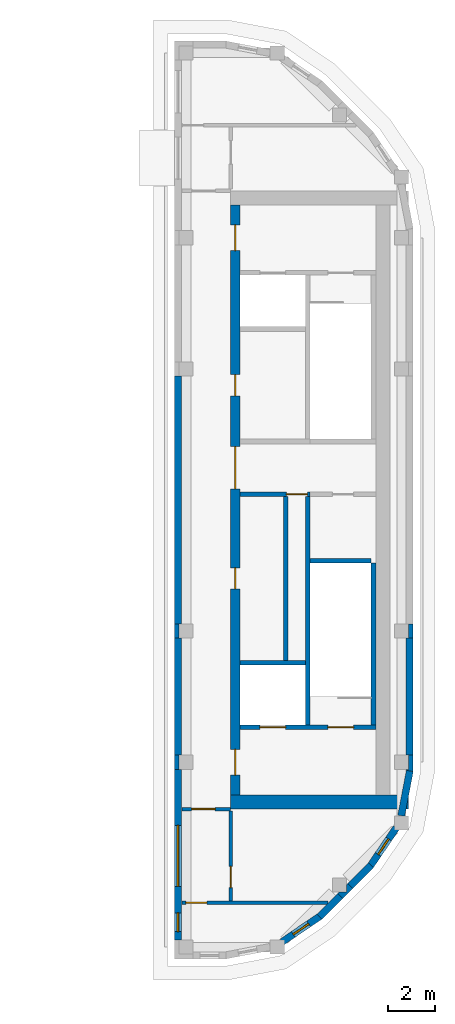
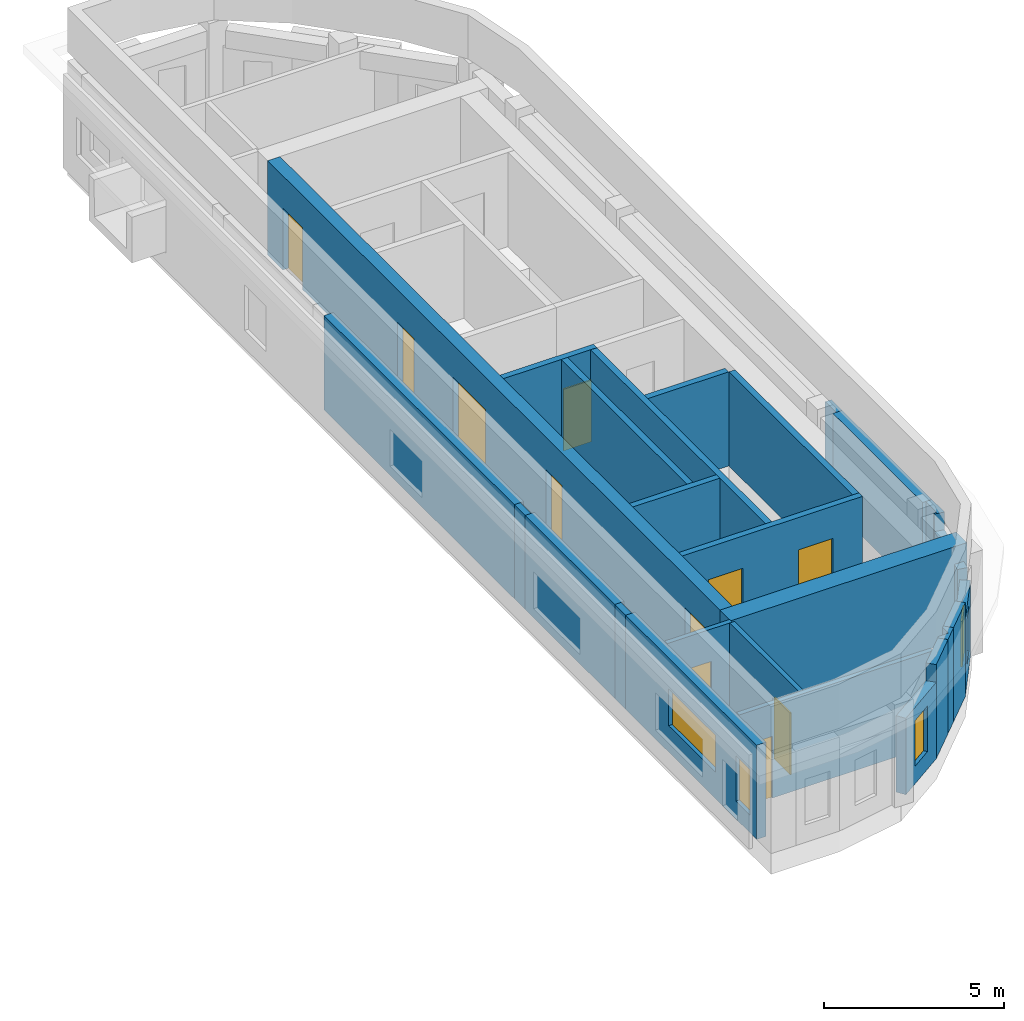
# One storey, part 10 of 16: 26 walls, 11 doors, 4 windows, 15 openings.
"""IFC4 building model written with IfcOpenShell, lengths in metres."""

from ifc_helpers import new_model, si_unit, direction, frame, frame_2d, origin, place, context, subcontext, project, spatial, polyline, rectangle, outline, extrude, material, layer, layer_set, type_object, element, fill, save


model = new_model("IFC4")

# Units and contexts
model_context = context("Model", 3, precision=1e-05, world=origin(), true_north=direction((0.0, 1.0)))
body_context = subcontext(model_context, "Body", "Model", "MODEL_VIEW")
ifc_project = project(units=[si_unit("LENGTHUNIT", "METRE"), si_unit("AREAUNIT", "SQUARE_METRE"), si_unit("VOLUMEUNIT", "CUBIC_METRE"), si_unit("PLANEANGLEUNIT", "RADIAN"), si_unit("MASSUNIT", "GRAM", prefix="KILO")], contexts=[model_context])

# Site, building, storey
site_placement = place(None, origin())
site = spatial("IfcSite", under=ifc_project, at=site_placement, CompositionType="ELEMENT")
building_placement = place(site_placement, origin())
building = spatial("IfcBuilding", under=site, at=building_placement, Name="Kiln Ring Residences", CompositionType="ELEMENT")
storey_placement = place(building_placement, frame((0.0, 0.0, 313.89990234375)))
storey = spatial("IfcBuildingStorey", under=building, at=storey_placement, Name="L81 Crown", CompositionType="ELEMENT", Elevation=313.89990234375)

# Walls
ifc_material_1 = material(Name="Gypsum board on steel studs", Category="steel")
ifc_layer_1 = layer(ifc_material_1, 0.199951171875)
ifc_layer_set_1 = layer_set([ifc_layer_1], Name="CORE-PARTITION-200")
wall_type_1 = type_object("IfcWallType", Name="CORE-PARTITION-200", PredefinedType="PARTITIONING", material=ifc_layer_set_1)
wall_1_placement = place(storey_placement, frame((19.760009765625, -6.85009765625, 0.0), z_axis=(0.0, 0.0, 1.0), x_axis=(0.0, 1.0, 0.0)))
element("IfcWall", 1, at=wall_1_placement, inside=storey, type_object=wall_type_1, Name="Core partition east L81 Crown 2", PredefinedType="PARTITIONING", context=body_context, shape_type="SweptSolid", body=[
    extrude(rectangle(XDim=7.0, YDim=0.199951171875, at=frame_2d((3.5, 0.0))), origin(), (0.0, 0.0, 1.0), 3.2001953125),
])
ifc_material_2 = material(Name="Gypsum shaft wall system")
ifc_layer_2 = layer(ifc_material_2, 0.199951171875)
ifc_layer_set_2 = layer_set([ifc_layer_2], Name="CORE-SHAFT-WALL-200")
wall_type_2 = type_object("IfcWallType", Name="CORE-SHAFT-WALL-200", PredefinedType="PARTITIONING", material=ifc_layer_set_2)
wall_2_placement = place(storey_placement, frame((17.800048828125, -6.949951171875, 0.0), z_axis=(0.0, 0.0, 1.0), x_axis=(1.0, 0.0, 0.0)))
element("IfcWall", 2, at=wall_2_placement, inside=storey, type_object=wall_type_2, Name="Core partition east L81 Crown 3", PredefinedType="PARTITIONING", context=body_context, shape_type="SweptSolid", body=[
    extrude(rectangle(XDim=2.800048828125, YDim=0.199951171875, at=frame_2d((1.39990234375, 0.0))), origin(), (0.0, 0.0, 1.0), 3.2001953125),
])

# Wall, opening, door
wall_3_placement = place(storey_placement, frame((17.800048828125, 0.25, 0.0), z_axis=(0.0, 0.0, 1.0), x_axis=(1.0, 0.0, 0.0)))
wall_3 = element("IfcWall", 3, at=wall_3_placement, inside=storey, type_object=wall_type_2, Name="Core partition east L81 Crown 4", PredefinedType="PARTITIONING", context=body_context, shape_type="SweptSolid", body=[
    extrude(rectangle(XDim=3.0, YDim=0.199951171875, at=frame_2d((1.5, 0.0))), origin(), (0.0, 0.0, 1.0), 3.2001953125),
])
opening_1_placement = place(wall_3_placement, frame((1.97998046875, 0.0, 0.0)))
opening_1 = element("IfcOpeningElement", 4, at=opening_1_placement, cuts=wall_3, Name="Opening L81-CE03", PredefinedType="OPENING", context=body_context, shape_type="SweptSolid", body=[
    extrude(rectangle(XDim=0.89990234375, YDim=2.10009765625, at=frame_2d((0.449951171875, 1.050048828125))), frame((0.0, 0.10986328125, 0.0), z_axis=(0.0, -1.0, 0.0), x_axis=(1.0, 0.0, 0.0)), (0.0, 0.0, 1.0), 0.219970703125),
])
ifc_material_3 = material(Name="Steel door leaf", Category="steel")
door_type_1 = type_object("IfcDoorType", Name="CORE-DOOR-ROOM", OperationType="SINGLE_SWING_LEFT", PredefinedType="DOOR", material=ifc_material_3)
door_1_placement = place(opening_1_placement, origin())
door_1 = element("IfcDoor", 5, at=door_1_placement, inside=storey, type_object=door_type_1, Name="Waste room L81-CE03", OperationType="SINGLE_SWING_RIGHT", OverallHeight=2.10009765625, OverallWidth=0.89990234375, PredefinedType="DOOR", context=body_context, shape_type="SweptSolid", body=[
    extrude(rectangle(XDim=0.89990234375, YDim=2.10009765625, at=frame_2d((0.449951171875, 1.050048828125))), frame((0.0, 0.02490234375, 0.0), z_axis=(0.0, -1.0, 0.0), x_axis=(1.0, 0.0, 0.0)), (0.0, 0.0, 1.0), 0.050048828125),
])
fill(opening_1, door_1)

# Wall
ifc_material_4 = material(Name="Concrete C40/50", Category="concrete")
ifc_layer_3 = layer(ifc_material_4, 0.199951171875)
ifc_layer_set_3 = layer_set([ifc_layer_3], Name="CORE-WALL-RC200")
wall_type_3 = type_object("IfcWallType", Name="CORE-WALL-RC200", PredefinedType="SHEAR", material=ifc_layer_set_3)
wall_4_placement = place(storey_placement, frame((20.699951171875, -9.60009765625, 0.0), z_axis=(0.0, 0.0, 1.0), x_axis=(0.0, 1.0, 0.0)))
element("IfcWall", 6, at=wall_4_placement, inside=storey, type_object=wall_type_3, Name="Core wall east L81 Crown 2", PredefinedType="SHEAR", context=body_context, shape_type="SweptSolid", body=[
    extrude(rectangle(XDim=9.75, YDim=0.199951171875, at=frame_2d((4.875, 0.0))), origin(), (0.0, 0.0, 1.0), 3.2001953125),
])

# Wall, openings, doors
wall_5_placement = place(storey_placement, frame((17.800048828125, -9.699951171875, 0.0), z_axis=(0.0, 0.0, 1.0), x_axis=(1.0, 0.0, 0.0)))
wall_5 = element("IfcWall", 7, at=wall_5_placement, inside=storey, type_object=wall_type_3, Name="Core wall east L81 Crown 8", PredefinedType="SHEAR", context=body_context, shape_type="SweptSolid", body=[
    extrude(rectangle(XDim=5.800048828125, YDim=0.199951171875, at=frame_2d((2.89990234375, 0.0))), origin(), (0.0, 0.0, 1.0), 3.2001953125),
])
opening_2_placement = place(wall_5_placement, frame((0.85009765625, 0.0, 0.0)))
opening_2 = element("IfcOpeningElement", 8, at=opening_2_placement, cuts=wall_5, Name="Opening L81-CE01", PredefinedType="OPENING", context=body_context, shape_type="SweptSolid", body=[
    extrude(rectangle(XDim=1.10009765625, YDim=2.10009765625, at=frame_2d((0.550048828125, 1.050048828125))), frame((0.0, 0.10986328125, 0.0), z_axis=(0.0, -1.0, 0.0), x_axis=(1.0, 0.0, 0.0)), (0.0, 0.0, 1.0), 0.219970703125),
])
opening_3_placement = place(wall_5_placement, frame((3.75, 0.0, 0.0)))
opening_3 = element("IfcOpeningElement", 9, at=opening_3_placement, cuts=wall_5, Name="Opening L81-CE09", PredefinedType="OPENING", context=body_context, shape_type="SweptSolid", body=[
    extrude(rectangle(XDim=1.10009765625, YDim=2.10009765625, at=frame_2d((0.550048828125, 1.050048828125))), frame((0.0, 0.10986328125, 0.0), z_axis=(0.0, -1.0, 0.0), x_axis=(1.0, 0.0, 0.0)), (0.0, 0.0, 1.0), 0.219970703125),
])
ifc_material_5 = material(Name="Steel door leaf", Category="steel")
door_type_2 = type_object("IfcDoorType", Name="CORE-DOOR-LD", OperationType="DOUBLE_DOOR_SLIDING", PredefinedType="DOOR", material=ifc_material_5)
door_2_placement = place(opening_2_placement, origin())
door_2 = element("IfcDoor", 10, at=door_2_placement, inside=storey, type_object=door_type_2, Name="LD E-SV L81-CE01", OperationType="DOUBLE_DOOR_SLIDING", OverallHeight=2.10009765625, OverallWidth=1.10009765625, PredefinedType="DOOR", context=body_context, shape_type="SweptSolid", body=[
    extrude(rectangle(XDim=1.10009765625, YDim=2.10009765625, at=frame_2d((0.550048828125, 1.050048828125))), frame((0.0, 0.02490234375, 0.0), z_axis=(0.0, -1.0, 0.0), x_axis=(1.0, 0.0, 0.0)), (0.0, 0.0, 1.0), 0.050048828125),
])
fill(opening_2, door_2)
ifc_material_6 = material(Name="Steel door leaf", Category="steel")
door_type_3 = type_object("IfcDoorType", Name="CORE-DOOR-STAIR", OperationType="SINGLE_SWING_LEFT", PredefinedType="DOOR", material=ifc_material_6)
door_3_placement = place(opening_3_placement, origin())
door_3 = element("IfcDoor", 11, at=door_3_placement, inside=storey, type_object=door_type_3, Name="Stair E-STS L81-CE09", OperationType="SINGLE_SWING_LEFT", OverallHeight=2.10009765625, OverallWidth=1.10009765625, PredefinedType="DOOR", context=body_context, shape_type="SweptSolid", body=[
    extrude(rectangle(XDim=1.10009765625, YDim=2.10009765625, at=frame_2d((0.550048828125, 1.050048828125))), frame((0.0, 0.02490234375, 0.0), z_axis=(0.0, -1.0, 0.0), x_axis=(1.0, 0.0, 0.0)), (0.0, 0.0, 1.0), 0.050048828125),
])
fill(opening_3, door_3)

# Walls
wall_6_placement = place(storey_placement, frame((23.5, -9.60009765625, 0.0), z_axis=(0.0, 0.0, 1.0), x_axis=(0.0, 1.0, 0.0)))
element("IfcWall", 12, at=wall_6_placement, inside=storey, type_object=wall_type_3, Name="Core wall east L81 Crown 11", PredefinedType="SHEAR", context=body_context, shape_type="SweptSolid", body=[
    extrude(rectangle(XDim=6.900146484375, YDim=0.199951171875, at=frame_2d((3.4501953125, 0.0))), origin(), (0.0, 0.0, 1.0), 3.2001953125),
])
wall_7_placement = place(storey_placement, frame((20.800048828125, -2.60009765625, 0.0), z_axis=(0.0, 0.0, 1.0), x_axis=(1.0, 0.0, 0.0)))
element("IfcWall", 13, at=wall_7_placement, inside=storey, type_object=wall_type_3, Name="Core wall east L81 Crown 12", PredefinedType="SHEAR", context=body_context, shape_type="SweptSolid", body=[
    extrude(rectangle(XDim=2.599853515625, YDim=0.199951171875, at=frame_2d((1.2998046875, 0.0))), origin(), (0.0, 0.0, 1.0), 3.2001953125),
])

# Wall, openings, doors
ifc_material_7 = material(Name="Concrete C60/75", Category="concrete")
ifc_layer_4 = layer(ifc_material_7, 0.39990234375)
ifc_layer_set_4 = layer_set([ifc_layer_4], Name="CORE-WALL-RC400")
wall_type_4 = type_object("IfcWallType", Name="CORE-WALL-RC400", PredefinedType="SHEAR", material=ifc_layer_set_4)
wall_8_placement = place(storey_placement, frame((17.60009765625, -12.60009765625, 0.0), z_axis=(0.0, 0.0, 1.0), x_axis=(0.0, 1.0, 0.0)))
wall_8 = element("IfcWall", 14, at=wall_8_placement, inside=storey, type_object=wall_type_4, Name="Core wall east L81 Crown 6", PredefinedType="SHEAR", context=body_context, shape_type="SweptSolid", body=[
    extrude(rectangle(XDim=25.2001953125, YDim=0.39990234375, at=frame_2d((12.60009765625, 0.0))), origin(), (0.0, 0.0, 1.0), 3.2001953125),
])
opening_4_placement = place(wall_8_placement, frame((8.800048828125, 0.0, 0.0)))
opening_4 = element("IfcOpeningElement", 15, at=opening_4_placement, cuts=wall_8, Name="Opening L81-CE02", PredefinedType="OPENING", context=body_context, shape_type="SweptSolid", body=[
    extrude(rectangle(XDim=0.89990234375, YDim=2.10009765625, at=frame_2d((0.449951171875, 1.050048828125))), frame((0.0, 0.2099609375, 0.0), z_axis=(0.0, -1.0, 0.0), x_axis=(1.0, 0.0, 0.0)), (0.0, 0.0, 1.0), 0.419921875),
])
opening_5_placement = place(wall_8_placement, frame((17.050048828125, 0.0, 0.0)))
opening_5 = element("IfcOpeningElement", 16, at=opening_5_placement, cuts=wall_8, Name="Opening L81-CE04", PredefinedType="OPENING", context=body_context, shape_type="SweptSolid", body=[
    extrude(rectangle(XDim=0.89990234375, YDim=2.10009765625, at=frame_2d((0.449951171875, 1.050048828125))), frame((0.0, 0.2099609375, 0.0), z_axis=(0.0, -1.0, 0.0), x_axis=(1.0, 0.0, 0.0)), (0.0, 0.0, 1.0), 0.419921875),
])
opening_6_placement = place(wall_8_placement, frame((23.25, 0.0, 0.0)))
opening_6 = element("IfcOpeningElement", 17, at=opening_6_placement, cuts=wall_8, Name="Opening L81-CE06", PredefinedType="OPENING", context=body_context, shape_type="SweptSolid", body=[
    extrude(rectangle(XDim=1.10009765625, YDim=2.10009765625, at=frame_2d((0.550048828125, 1.050048828125))), frame((0.0, 0.2099609375, 0.0), z_axis=(0.0, -1.0, 0.0), x_axis=(1.0, 0.0, 0.0)), (0.0, 0.0, 1.0), 0.419921875),
])
opening_7_placement = place(wall_8_placement, frame((0.85009765625, 0.0, 0.0)))
opening_7 = element("IfcOpeningElement", 18, at=opening_7_placement, cuts=wall_8, Name="Opening L81-CE07", PredefinedType="OPENING", context=body_context, shape_type="SweptSolid", body=[
    extrude(rectangle(XDim=1.10009765625, YDim=2.10009765625, at=frame_2d((0.550048828125, 1.050048828125))), frame((0.0, 0.2099609375, 0.0), z_axis=(0.0, -1.0, 0.0), x_axis=(1.0, 0.0, 0.0)), (0.0, 0.0, 1.0), 0.419921875),
])
opening_8_placement = place(wall_8_placement, frame((13.074951171875, 0.0, 0.0)))
opening_8 = element("IfcOpeningElement", 19, at=opening_8_placement, cuts=wall_8, Name="Opening L81-CE10", PredefinedType="OPENING", context=body_context, shape_type="SweptSolid", body=[
    extrude(rectangle(XDim=1.800048828125, YDim=2.10009765625, at=frame_2d((0.89990234375, 1.050048828125))), frame((0.0, 0.2099609375, 0.0), z_axis=(0.0, -1.0, 0.0), x_axis=(1.0, 0.0, 0.0)), (0.0, 0.0, 1.0), 0.419921875),
])
ifc_material_8 = material(Name="Steel door leaf", Category="steel")
door_type_4 = type_object("IfcDoorType", Name="CORE-DOOR-LOBBY", OperationType="SINGLE_SWING_LEFT", PredefinedType="DOOR", material=ifc_material_8)
door_4_placement = place(opening_6_placement, origin())
door_4 = element("IfcDoor", 20, at=door_4_placement, inside=storey, type_object=door_type_4, Name="FFL L81-CE06", OperationType="SINGLE_SWING_RIGHT", OverallHeight=2.10009765625, OverallWidth=1.10009765625, PredefinedType="DOOR", context=body_context, shape_type="SweptSolid", body=[
    extrude(rectangle(XDim=1.10009765625, YDim=2.10009765625, at=frame_2d((0.550048828125, 1.050048828125))), frame((0.0, 0.02490234375, 0.0), z_axis=(0.0, -1.0, 0.0), x_axis=(1.0, 0.0, 0.0)), (0.0, 0.0, 1.0), 0.050048828125),
])
fill(opening_6, door_4)
door_5_placement = place(opening_7_placement, origin())
door_5 = element("IfcDoor", 21, at=door_5_placement, inside=storey, type_object=door_type_4, Name="SVL L81-CE07", OperationType="SINGLE_SWING_LEFT", OverallHeight=2.10009765625, OverallWidth=1.10009765625, PredefinedType="DOOR", context=body_context, shape_type="SweptSolid", body=[
    extrude(rectangle(XDim=1.10009765625, YDim=2.10009765625, at=frame_2d((0.550048828125, 1.050048828125))), frame((0.0, 0.02490234375, 0.0), z_axis=(0.0, -1.0, 0.0), x_axis=(1.0, 0.0, 0.0)), (0.0, 0.0, 1.0), 0.050048828125),
])
fill(opening_7, door_5)
ifc_material_9 = material(Name="Steel door leaf", Category="steel")
door_type_5 = type_object("IfcDoorType", Name="CORE-DOOR-PASS", OperationType="DOUBLE_DOOR_SINGLE_SWING", PredefinedType="DOOR", material=ifc_material_9)
door_6_placement = place(opening_8_placement, origin())
door_6 = element("IfcDoor", 22, at=door_6_placement, inside=storey, type_object=door_type_5, Name="Core passage L81-CE10", OperationType="DOUBLE_DOOR_SINGLE_SWING", OverallHeight=2.10009765625, OverallWidth=1.800048828125, PredefinedType="DOOR", context=body_context, shape_type="SweptSolid", body=[
    extrude(rectangle(XDim=1.800048828125, YDim=2.10009765625, at=frame_2d((0.89990234375, 1.050048828125))), frame((0.0, 0.02490234375, 0.0), z_axis=(0.0, -1.0, 0.0), x_axis=(1.0, 0.0, 0.0)), (0.0, 0.0, 1.0), 0.050048828125),
])
fill(opening_8, door_6)
door_7_placement = place(opening_4_placement, origin())
door_7 = element("IfcDoor", 23, at=door_7_placement, inside=storey, type_object=door_type_1, Name="Janitor's store L81-CE02", OperationType="SINGLE_SWING_LEFT", OverallHeight=2.10009765625, OverallWidth=0.89990234375, PredefinedType="DOOR", context=body_context, shape_type="SweptSolid", body=[
    extrude(rectangle(XDim=0.89990234375, YDim=2.10009765625, at=frame_2d((0.449951171875, 1.050048828125))), frame((0.0, 0.02490234375, 0.0), z_axis=(0.0, -1.0, 0.0), x_axis=(1.0, 0.0, 0.0)), (0.0, 0.0, 1.0), 0.050048828125),
])
fill(opening_4, door_7)
door_8_placement = place(opening_5_placement, origin())
door_8 = element("IfcDoor", 24, at=door_8_placement, inside=storey, type_object=door_type_1, Name="Goods store L81-CE04", OperationType="SINGLE_SWING_LEFT", OverallHeight=2.10009765625, OverallWidth=0.89990234375, PredefinedType="DOOR", context=body_context, shape_type="SweptSolid", body=[
    extrude(rectangle(XDim=0.89990234375, YDim=2.10009765625, at=frame_2d((0.449951171875, 1.050048828125))), frame((0.0, 0.02490234375, 0.0), z_axis=(0.0, -1.0, 0.0), x_axis=(1.0, 0.0, 0.0)), (0.0, 0.0, 1.0), 0.050048828125),
])
fill(opening_5, door_8)

# Walls
ifc_material_10 = material(Name="Concrete C60/75", Category="concrete")
ifc_layer_5 = layer(ifc_material_10, 0.60009765625)
ifc_layer_set_5 = layer_set([ifc_layer_5], Name="CORE-WALL-RC600")
wall_type_5 = type_object("IfcWallType", Name="CORE-WALL-RC600", PredefinedType="SHEAR", material=ifc_layer_set_5)
wall_9_placement = place(storey_placement, frame((17.39990234375, -12.89990234375, 0.0), z_axis=(0.0, 0.0, 1.0), x_axis=(1.0, 0.0, 0.0)))
element("IfcWall", 25, at=wall_9_placement, inside=storey, type_object=wall_type_5, Name="Core wall east L81 Crown 5", PredefinedType="SHEAR", context=body_context, shape_type="SweptSolid", body=[
    extrude(rectangle(XDim=7.60009765625, YDim=0.60009765625, at=frame_2d((3.800048828125, 0.0))), origin(), (0.0, 0.0, 1.0), 3.2001953125),
])
ifc_material_11 = material(Name="Brick masonry, dark clay brick", Category="masonry")
ifc_layer_6 = layer(ifc_material_11, 0.300048828125)
ifc_layer_set_6 = layer_set([ifc_layer_6], Name="EW-300 BRICK WALL")
wall_type_6 = type_object("IfcWallType", Name="EW-300 BRICK WALL", PredefinedType="SOLIDWALL", material=ifc_layer_set_6)
wall_10_placement = place(storey_placement, frame((15.14990234375, 5.300048828125, 0.0), z_axis=(0.0, 0.0, 1.0), x_axis=(0.0, -1.0, 0.0)))
element("IfcWall", 26, at=wall_10_placement, inside=storey, type_object=wall_type_6, Name="Facade wall L81 Crown 3", PredefinedType="SOLIDWALL", context=body_context, shape_type="SweptSolid", body=[
    extrude(rectangle(XDim=10.60009765625, YDim=0.300048828125, at=frame_2d((5.300048828125, 0.0))), origin(), (0.0, 0.0, 1.0), 3.2001953125),
])
wall_11_placement = place(storey_placement, frame((15.14990234375, -5.89990234375, 0.0), z_axis=(0.0, 0.0, 1.0), x_axis=(0.0, -1.0, 0.0)))
element("IfcWall", 27, at=wall_11_placement, inside=storey, type_object=wall_type_6, Name="Facade wall L81 Crown 4", PredefinedType="SOLIDWALL", context=body_context, shape_type="SweptSolid", body=[
    extrude(rectangle(XDim=5.0, YDim=0.300048828125, at=frame_2d((2.5, 0.0))), origin(), (0.0, 0.0, 1.0), 3.2001953125),
])

# Wall, openings, windows
wall_12_placement = place(storey_placement, frame((15.14990234375, -11.5, 0.0), z_axis=(0.0, 0.0, 1.0), x_axis=(0.0, -1.0, 0.0)))
wall_12 = element("IfcWall", 28, at=wall_12_placement, inside=storey, type_object=wall_type_6, Name="Facade wall L81 Crown 5", PredefinedType="SOLIDWALL", context=body_context, shape_type="SweptSolid", body=[
    extrude(rectangle(XDim=7.300048828125, YDim=0.300048828125, at=frame_2d((3.64990234375, 0.0))), origin(), (0.0, 0.0, 1.0), 3.2001953125),
])
opening_9_placement = place(wall_12_placement, frame((2.39990234375, 0.0, 0.89990234375)))
opening_9 = element("IfcOpeningElement", 29, at=opening_9_placement, cuts=wall_12, Name="Opening W3", PredefinedType="OPENING", context=body_context, shape_type="SweptSolid", body=[
    extrude(rectangle(XDim=2.60009765625, YDim=1.25, at=frame_2d((1.300048828125, 0.625))), frame((0.0, 0.159912109375, 0.0), z_axis=(0.0, -1.0, 0.0), x_axis=(1.0, 0.0, 0.0)), (0.0, 0.0, 1.0), 0.320068359375),
])
opening_10_placement = place(wall_12_placement, frame((6.137451171875, 0.0, 0.60009765625)))
opening_10 = element("IfcOpeningElement", 30, at=opening_10_placement, cuts=wall_12, Name="Opening W5", PredefinedType="OPENING", context=body_context, shape_type="SweptSolid", body=[
    extrude(rectangle(XDim=0.800048828125, YDim=1.550048828125, at=frame_2d((0.39990234375, 0.77490234375))), frame((0.0, 0.159912109375, 0.0), z_axis=(0.0, -1.0, 0.0), x_axis=(1.0, 0.0, 0.0)), (0.0, 0.0, 1.0), 0.320068359375),
])
ifc_material_12 = material(Name="Aluminium frame with double glazing", Category="aluminium")
window_type_1 = type_object("IfcWindowType", Name="WINDOW 2600 x 1250", PartitioningType="SINGLE_PANEL", PredefinedType="WINDOW", material=ifc_material_12)
window_1_placement = place(opening_9_placement, origin())
window_1 = element("IfcWindow", 31, at=window_1_placement, inside=storey, type_object=window_type_1, Name="Window L81 Crown 3", OverallHeight=1.25, OverallWidth=2.60009765625, PartitioningType="SINGLE_PANEL", PredefinedType="WINDOW", context=body_context, shape_type="SweptSolid", body=[
    extrude(rectangle(XDim=2.60009765625, YDim=1.25, at=frame_2d((1.300048828125, 0.625))), frame((0.0, 0.030029296875, 0.0), z_axis=(0.0, -1.0, 0.0), x_axis=(1.0, 0.0, 0.0)), (0.0, 0.0, 1.0), 0.06005859375),
])
fill(opening_9, window_1)
ifc_material_13 = material(Name="Aluminium frame with double glazing", Category="aluminium")
window_type_2 = type_object("IfcWindowType", Name="WINDOW 800 x 1550", PartitioningType="SINGLE_PANEL", PredefinedType="WINDOW", material=ifc_material_13)
window_2_placement = place(opening_10_placement, origin())
window_2 = element("IfcWindow", 32, at=window_2_placement, inside=storey, type_object=window_type_2, Name="Window L81 Crown 4", OverallHeight=1.550048828125, OverallWidth=0.800048828125, PartitioningType="SINGLE_PANEL", PredefinedType="WINDOW", context=body_context, shape_type="SweptSolid", body=[
    extrude(rectangle(XDim=0.800048828125, YDim=1.550048828125, at=frame_2d((0.39990234375, 0.77490234375))), frame((0.0, 0.030029296875, 0.0), z_axis=(0.0, -1.0, 0.0), x_axis=(1.0, 0.0, 0.0)), (0.0, 0.0, 1.0), 0.06005859375),
])
fill(opening_10, window_2)

# Wall, opening, window
wall_13_placement = place(storey_placement, frame((19.601806640625, -18.873779296875, 0.0), z_axis=(0.0, 0.0, 1.0), x_axis=(0.827022075481, 0.562169446579, 0.0)))
wall_13 = element("IfcWall", 33, at=wall_13_placement, inside=storey, type_object=wall_type_6, Name="Facade wall L81 Crown 8", PredefinedType="SOLIDWALL", context=body_context, shape_type="SweptSolid", body=[
    extrude(rectangle(XDim=1.94775390625, YDim=0.300048828125, at=frame_2d((0.973876953125, 0.0))), origin(), (0.0, 0.0, 1.0), 2.60009765625),
])
opening_11_placement = place(wall_13_placement, frame((0.573974609375, 0.0, 0.60009765625)))
opening_11 = element("IfcOpeningElement", 34, at=opening_11_placement, cuts=wall_13, Name="Opening W5", PredefinedType="OPENING", context=body_context, shape_type="SweptSolid", body=[
    extrude(rectangle(XDim=0.800048828125, YDim=1.550048828125, at=frame_2d((0.39990234375, 0.77490234375))), frame((0.0, 0.159912109375, 0.0), z_axis=(0.0, -1.0, 0.0), x_axis=(1.0, 0.0, 0.0)), (0.0, 0.0, 1.0), 0.320068359375),
])
window_3_placement = place(opening_11_placement, origin())
window_3 = element("IfcWindow", 35, at=window_3_placement, inside=storey, type_object=window_type_2, Name="Window L81 Crown 7", OverallHeight=1.550048828125, OverallWidth=0.800048828125, PartitioningType="SINGLE_PANEL", PredefinedType="WINDOW", context=body_context, shape_type="SweptSolid", body=[
    extrude(rectangle(XDim=0.800048828125, YDim=1.550048828125, at=frame_2d((0.39990234375, 0.77490234375))), frame((0.0, 0.030029296875, 0.0), z_axis=(0.0, -1.0, 0.0), x_axis=(1.0, 0.0, 0.0)), (0.0, 0.0, 1.0), 0.06005859375),
])
fill(opening_11, window_3)

# Walls
for number, where, z_axis, x_axis, name in (
    (36, (21.19091796875, -17.796875, 0.0), (0.0, 0.0, 1.0), (0.707106781187, 0.707106781187, 0.0), "Facade wall L81 Crown 9"),
    (37, (22.506103515625, -16.481689453125, 0.0), (0.0, 0.0, 1.0), (0.707203678312, 0.707009870781, 0.0), "Facade wall L81 Crown 10"),
):
    element("IfcWall", number, at=place(storey_placement, frame(where, z_axis=z_axis, x_axis=x_axis)), inside=storey, type_object=wall_type_6, Name=name, PredefinedType="SOLIDWALL", context=body_context, shape_type="SweptSolid", body=[
        extrude(rectangle(XDim=1.259765625, YDim=0.300048828125, at=frame_2d((0.6298828125, 0.0))), origin(), (0.0, 0.0, 1.0), 3.2001953125),
    ])

# Wall, opening, window
wall_14_placement = place(storey_placement, frame((23.37890625, -15.61279296875, 0.0), z_axis=(0.0, 0.0, 1.0), x_axis=(0.562025435703, 0.827119948752, 0.0)))
wall_14 = element("IfcWall", 38, at=wall_14_placement, inside=storey, type_object=wall_type_6, Name="Facade wall L81 Crown 11", PredefinedType="SOLIDWALL", context=body_context, shape_type="SweptSolid", body=[
    extrude(rectangle(XDim=1.94775390625, YDim=0.300048828125, at=frame_2d((0.973876953125, 0.0))), origin(), (0.0, 0.0, 1.0), 2.60009765625),
])
opening_12_placement = place(wall_14_placement, frame((0.573974609375, 0.0, 0.60009765625)))
opening_12 = element("IfcOpeningElement", 39, at=opening_12_placement, cuts=wall_14, Name="Opening W5", PredefinedType="OPENING", context=body_context, shape_type="SweptSolid", body=[
    extrude(rectangle(XDim=0.800048828125, YDim=1.550048828125, at=frame_2d((0.39990234375, 0.77490234375))), frame((0.0, 0.159912109375, 0.0), z_axis=(0.0, -1.0, 0.0), x_axis=(1.0, 0.0, 0.0)), (0.0, 0.0, 1.0), 0.320068359375),
])
window_4_placement = place(opening_12_placement, origin())
window_4 = element("IfcWindow", 40, at=window_4_placement, inside=storey, type_object=window_type_2, Name="Window L81 Crown 8", OverallHeight=1.550048828125, OverallWidth=0.800048828125, PartitioningType="SINGLE_PANEL", PredefinedType="WINDOW", context=body_context, shape_type="SweptSolid", body=[
    extrude(rectangle(XDim=0.800048828125, YDim=1.550048828125, at=frame_2d((0.39990234375, 0.77490234375))), frame((0.0, 0.030029296875, 0.0), z_axis=(0.0, -1.0, 0.0), x_axis=(1.0, 0.0, 0.0)), (0.0, 0.0, 1.0), 0.06005859375),
])
fill(opening_12, window_4)

# Walls
wall_15_placement = place(storey_placement, frame((24.687744140625, -13.485107421875, 0.0), z_axis=(0.0, 0.0, 1.0), x_axis=(0.187354129902, 0.982292436095, 0.0)))
element("IfcWall", 41, at=wall_15_placement, inside=storey, type_object=wall_type_6, Name="Facade wall L81 Crown 12", PredefinedType="SOLIDWALL", context=body_context, shape_type="SweptSolid", body=[
    extrude(rectangle(XDim=1.94677734375, YDim=0.300048828125, at=frame_2d((0.973388671875, 0.0))), origin(), (0.0, 0.0, 1.0), 2.60009765625),
])
wall_16_placement = place(storey_placement, frame((25.050048828125, -10.89990234375, 0.0), z_axis=(0.0, 0.0, 1.0), x_axis=(0.0, 1.0, 0.0)))
element("IfcWall", 42, at=wall_16_placement, inside=storey, type_object=wall_type_6, Name="Facade wall L81 Crown 13", PredefinedType="SOLIDWALL", context=body_context, shape_type="SweptSolid", body=[
    extrude(rectangle(XDim=5.0, YDim=0.300048828125, at=frame_2d((2.5, 0.0))), origin(), (0.0, 0.0, 1.0), 3.2001953125),
])
placement = place(storey_placement, origin())
element("IfcWall", 43, at=placement, inside=storey, type_object=wall_type_6, Name="Corner wall L81 Crown 16", PredefinedType="SOLIDWALL", context=body_context, shape_type="SweptSolid", body=[
    extrude(outline(polyline([(25.0, -5.89990234375), (25.199951171875, -5.89990234375), (25.199951171875, -5.300048828125), (25.0, -5.300048828125), (25.0, -5.89990234375)])), origin(), (0.0, 0.0, 1.0), 3.2001953125),
])
element("IfcWall", 44, at=placement, inside=storey, type_object=wall_type_6, Name="Corner wall L81 Crown 17", PredefinedType="SOLIDWALL", context=body_context, shape_type="SweptSolid", body=[
    extrude(outline(polyline([(25.199951171875, -11.600830078125), (25.199951171875, -10.89990234375), (25.0, -10.89990234375), (25.0, -11.5), (24.89990234375, -11.5), (24.89990234375, -11.56103515625), (24.9033203125, -11.544189453125), (25.199951171875, -11.600830078125)])), origin(), (0.0, 0.0, 1.0), 3.2001953125),
])
element("IfcWall", 45, at=placement, inside=storey, type_object=wall_type_6, Name="Corner wall L81 Crown 18", PredefinedType="SOLIDWALL", context=body_context, shape_type="SweptSolid", body=[
    extrude(outline(polyline([(21.9755859375, -16.800048828125), (22.18798828125, -17.01220703125), (22.612060546875, -16.587890625), (22.39990234375, -16.375732421875), (22.346435546875, -16.42919921875), (22.346435546875, -16.746337890625), (22.029296875, -16.746337890625), (21.9755859375, -16.800048828125)])), origin(), (0.0, 0.0, 1.0), 3.2001953125),
])
element("IfcWall", 46, at=placement, inside=storey, type_object=wall_type_6, Name="Corner wall L81 Crown 20", PredefinedType="SOLIDWALL", context=body_context, shape_type="SweptSolid", body=[
    extrude(outline(polyline([(15.199951171875, -10.89990234375), (15.0, -10.89990234375), (15.0, -11.5), (15.199951171875, -11.5), (15.199951171875, -10.89990234375)])), origin(), (0.0, 0.0, 1.0), 3.2001953125),
])
element("IfcWall", 47, at=placement, inside=storey, type_object=wall_type_6, Name="Corner wall L81 Crown 21", PredefinedType="SOLIDWALL", context=body_context, shape_type="SweptSolid", body=[
    extrude(outline(polyline([(15.199951171875, -5.300048828125), (15.0, -5.300048828125), (15.0, -5.89990234375), (15.300048828125, -5.89990234375), (15.199951171875, -5.89990234375), (15.199951171875, -5.300048828125)])), origin(), (0.0, 0.0, 1.0), 3.2001953125),
])

# Wall, opening, door
ifc_material_14 = material(Name="Brick masonry partition", Category="masonry")
ifc_layer_7 = layer(ifc_material_14, 0.14990234375)
ifc_layer_set_7 = layer_set([ifc_layer_7], Name="PARTITION-150-ei60")
wall_type_7 = type_object("IfcWallType", Name="PARTITION-150-ei60", PredefinedType="PARTITIONING", material=ifc_layer_set_7)
wall_22_placement = place(storey_placement, frame((15.320068359375, -17.199951171875, 0.0), z_axis=(0.0, 0.0, 1.0), x_axis=(1.0, 0.0, 0.0)))
wall_22 = element("IfcWall", 48, at=wall_22_placement, inside=storey, type_object=wall_type_7, Name="Partition 000", PredefinedType="PARTITIONING", context=body_context, shape_type="SweptSolid", body=[
    extrude(rectangle(XDim=6.235595703125, YDim=0.14990234375, at=frame_2d((3.11767578125, 0.0))), origin(), (0.0, 0.0, 1.0), 3.2001953125),
])
opening_13_placement = place(wall_22_placement, frame((0.169921875, 0.0, 0.0)))
opening_13 = element("IfcOpeningElement", 49, at=opening_13_placement, cuts=wall_22, Name="Opening L81-D012", PredefinedType="OPENING", context=body_context, shape_type="SweptSolid", body=[
    extrude(rectangle(XDim=0.89990234375, YDim=2.10009765625, at=frame_2d((0.449951171875, 1.050048828125))), frame((0.0, 0.0849609375, 0.0), z_axis=(0.0, -1.0, 0.0), x_axis=(1.0, 0.0, 0.0)), (0.0, 0.0, 1.0), 0.169921875),
])
ifc_material_15 = material(Name="Steel faced fire door leaf", Category="steel")
door_type_6 = type_object("IfcDoorType", Name="FLAT-DOOR-900-FR", OperationType="SINGLE_SWING_LEFT", PredefinedType="DOOR", material=ifc_material_15)
door_9_placement = place(opening_13_placement, origin())
door_9 = element("IfcDoor", 50, at=door_9_placement, inside=storey, type_object=door_type_6, Name="Door L81-D012", OperationType="SINGLE_SWING_LEFT", OverallHeight=2.10009765625, OverallWidth=0.89990234375, PredefinedType="DOOR", context=body_context, shape_type="SweptSolid", body=[
    extrude(rectangle(XDim=0.89990234375, YDim=2.10009765625, at=frame_2d((0.449951171875, 1.050048828125))), frame((0.0, 0.02490234375, 0.0), z_axis=(0.0, -1.0, 0.0), x_axis=(1.0, 0.0, 0.0)), (0.0, 0.0, 1.0), 0.050048828125),
])
fill(opening_13, door_9)

wall_23_placement = place(storey_placement, frame((15.320068359375, -13.199951171875, 0.0), z_axis=(0.0, 0.0, 1.0), x_axis=(1.0, 0.0, 0.0)))
wall_23 = element("IfcWall", 51, at=wall_23_placement, inside=storey, type_object=wall_type_7, Name="Partition 003", PredefinedType="PARTITIONING", context=body_context, shape_type="SweptSolid", body=[
    extrude(rectangle(XDim=2.0849609375, YDim=0.14990234375, at=frame_2d((1.04248046875, 0.0))), origin(), (0.0, 0.0, 1.0), 3.2001953125),
])
opening_14_placement = place(wall_23_placement, frame((0.419921875, 0.0, 0.0)))
opening_14 = element("IfcOpeningElement", 52, at=opening_14_placement, cuts=wall_23, Name="Opening L81-D010", PredefinedType="OPENING", context=body_context, shape_type="SweptSolid", body=[
    extrude(rectangle(XDim=1.0, YDim=2.10009765625, at=frame_2d((0.5, 1.050048828125))), frame((0.0, 0.0849609375, 0.0), z_axis=(0.0, -1.0, 0.0), x_axis=(1.0, 0.0, 0.0)), (0.0, 0.0, 1.0), 0.169921875),
])
ifc_material_16 = material(Name="Steel faced fire door leaf", Category="steel")
door_type_7 = type_object("IfcDoorType", Name="FLAT-DOOR-1000-FR", OperationType="SINGLE_SWING_LEFT", PredefinedType="DOOR", material=ifc_material_16)
door_10_placement = place(opening_14_placement, origin())
door_10 = element("IfcDoor", 53, at=door_10_placement, inside=storey, type_object=door_type_7, Name="Door L81-D010", OperationType="SINGLE_SWING_LEFT", OverallHeight=2.10009765625, OverallWidth=1.0, PredefinedType="DOOR", context=body_context, shape_type="SweptSolid", body=[
    extrude(rectangle(XDim=1.0, YDim=2.10009765625, at=frame_2d((0.5, 1.050048828125))), frame((0.0, 0.02490234375, 0.0), z_axis=(0.0, -1.0, 0.0), x_axis=(1.0, 0.0, 0.0)), (0.0, 0.0, 1.0), 0.050048828125),
])
fill(opening_14, door_10)

wall_24_placement = place(storey_placement, frame((17.39990234375, -17.125, 0.0), z_axis=(0.0, 0.0, 1.0), x_axis=(0.0, 1.0, 0.0)))
wall_24 = element("IfcWall", 54, at=wall_24_placement, inside=storey, type_object=wall_type_7, Name="Partition 010", PredefinedType="PARTITIONING", context=body_context, shape_type="SweptSolid", body=[
    extrude(rectangle(XDim=3.85009765625, YDim=0.14990234375, at=frame_2d((1.925048828125, 0.0))), origin(), (0.0, 0.0, 1.0), 3.2001953125),
])
opening_15_placement = place(wall_24_placement, frame((0.574951171875, 0.0, 0.0)))
opening_15 = element("IfcOpeningElement", 55, at=opening_15_placement, cuts=wall_24, Name="Opening L81-D011", PredefinedType="OPENING", context=body_context, shape_type="SweptSolid", body=[
    extrude(rectangle(XDim=0.89990234375, YDim=2.10009765625, at=frame_2d((0.449951171875, 1.050048828125))), frame((0.0, 0.0849609375, 0.0), z_axis=(0.0, -1.0, 0.0), x_axis=(1.0, 0.0, 0.0)), (0.0, 0.0, 1.0), 0.169921875),
])
door_11_placement = place(opening_15_placement, origin())
door_11 = element("IfcDoor", 56, at=door_11_placement, inside=storey, type_object=door_type_6, Name="Door L81-D011", OperationType="SINGLE_SWING_LEFT", OverallHeight=2.10009765625, OverallWidth=0.89990234375, PredefinedType="DOOR", context=body_context, shape_type="SweptSolid", body=[
    extrude(rectangle(XDim=0.89990234375, YDim=2.10009765625, at=frame_2d((0.449951171875, 1.050048828125))), frame((0.0, 0.02490234375, 0.0), z_axis=(0.0, -1.0, 0.0), x_axis=(1.0, 0.0, 0.0)), (0.0, 0.0, 1.0), 0.050048828125),
])
fill(opening_15, door_11)

save(model, "model.ifc")
